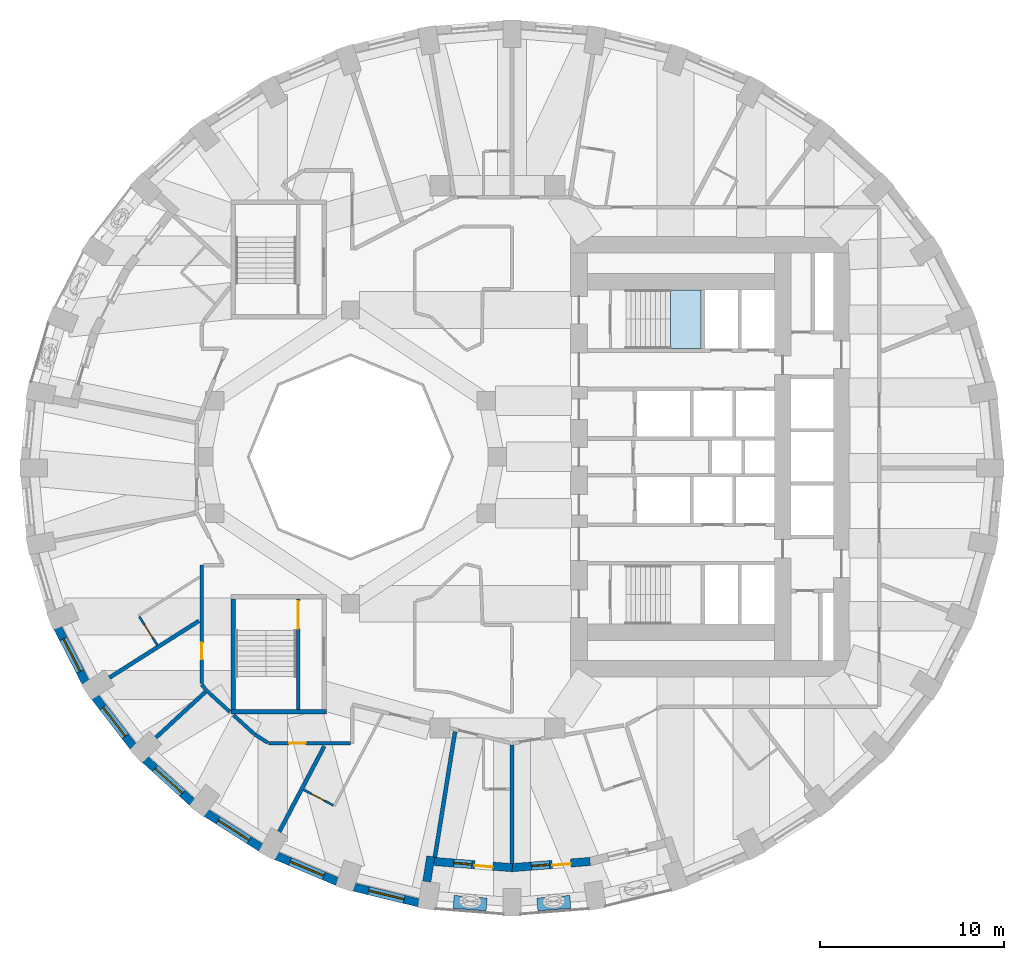
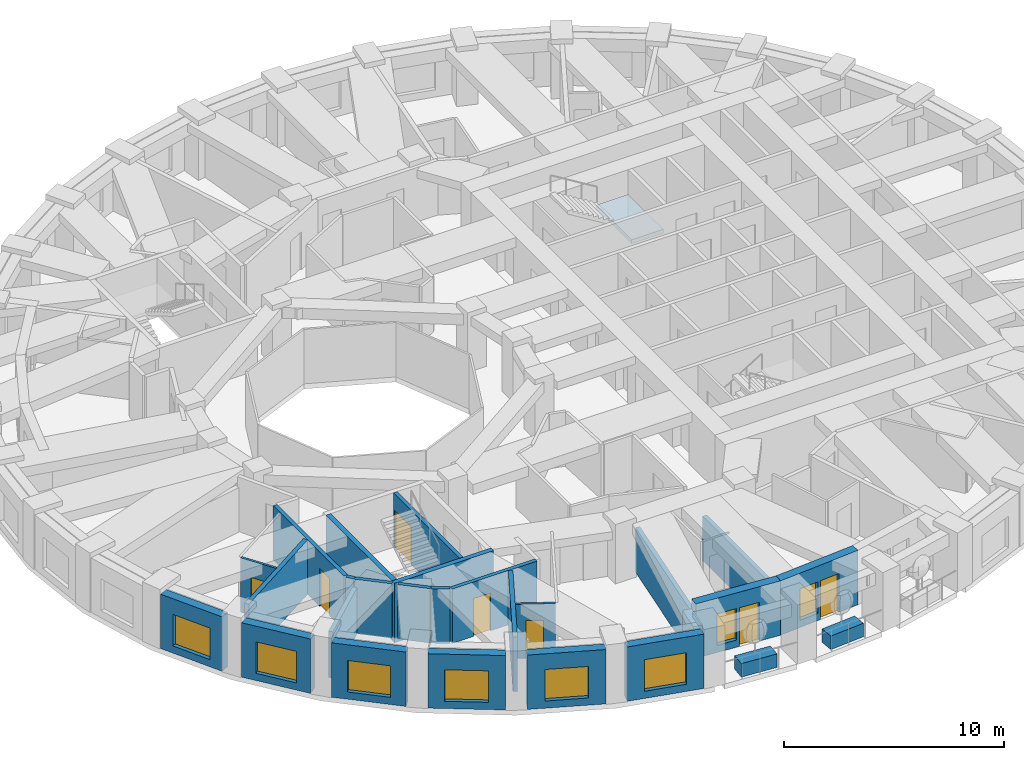
# One storey, part 3 of 13: 27 walls, 8 windows, 7 doors, 1 slab, 15 openings, 1 element without a shape of its own.
"""IFC4 building model written with IfcOpenShell, lengths in metres."""

from ifc_helpers import new_model, si_unit, direction, frame, frame_2d, origin, place, context, subcontext, project, spatial, polyline, rectangle, outline, extrude, material, layer, layer_set, constituent, constituent_set, type_object, element, fill, aggregate, save


model = new_model("IFC4")

# Units and contexts
model_context = context("Model", 3, precision=1e-05, world=origin(), true_north=direction((0.0, 1.0)))
body_context = subcontext(model_context, "Body", "Model", "MODEL_VIEW")
ifc_project = project(units=[si_unit("LENGTHUNIT", "METRE"), si_unit("AREAUNIT", "SQUARE_METRE"), si_unit("VOLUMEUNIT", "CUBIC_METRE"), si_unit("PLANEANGLEUNIT", "RADIAN"), si_unit("MASSUNIT", "GRAM", prefix="KILO")], contexts=[model_context])

# Site, building, storey
site_placement = place(None, origin())
site = spatial("IfcSite", under=ifc_project, at=site_placement, CompositionType="ELEMENT")
building_placement = place(site_placement, origin())
building = spatial("IfcBuilding", under=site, at=building_placement, Name="Taillehof Tower", CompositionType="ELEMENT")
storey_placement = place(building_placement, frame((0.0, 0.0, 115.300048828125)))
storey = spatial("IfcBuildingStorey", under=building, at=storey_placement, Name="L32", CompositionType="ELEMENT", Elevation=115.300048828125)

# Stair, slab
ifc_material_1 = material(Name="Concrete C40/50", Category="concrete")
stair_type = type_object("IfcStairType", Name="Exit stair half-turn", PredefinedType="HALF_TURN_STAIR", material=ifc_material_1)
stair_placement = place(storey_placement, origin())
stair = element("IfcStair", 1, at=stair_placement, inside=storey, type_object=stair_type, Name="Exit stair S1", PredefinedType="HALF_TURN_STAIR")
ifc_material_2 = material(Name="Concrete C40/50", Category="concrete")
ifc_layer_1 = layer(ifc_material_2, 0.2099609375)
ifc_layer_set_1 = layer_set([ifc_layer_1], Name="Stair landing C40/50 210")
slab_type = type_object("IfcSlabType", Name="Stair landing C40/50 210", PredefinedType="LANDING", material=ifc_layer_set_1)
slab_placement = place(storey_placement, frame((0.0, 0.0, 1.43994140625)))
slab = element("IfcSlab", 2, at=slab_placement, type_object=slab_type, Name="S1 landing 1", PredefinedType="LANDING", context=body_context, shape_type="SweptSolid", body=[
    extrude(outline(polyline([(9.429931640625, 5.89990234375), (11.10009765625, 5.89990234375), (11.10009765625, 9.10009765625), (9.429931640625, 9.10009765625), (9.429931640625, 5.89990234375)])), origin(), (0.0, 0.0, 1.0), 0.2099609375),
])
aggregate(stair, [slab])

# Wall, opening, window
ifc_material_3 = material(Name="Brick masonry", Category="masonry")
ifc_layer_2 = layer(ifc_material_3, 0.449951171875)
ifc_layer_set_2 = layer_set([ifc_layer_2], Name="Brick infill wall 450")
wall_type_1 = type_object("IfcWallType", Name="Brick infill wall 450", PredefinedType="SOLIDWALL", material=ifc_layer_set_2)
wall_1_placement = place(storey_placement, frame((-23.9453125, -9.312255859375, 0.0), z_axis=(0.0, 0.0, 1.0), x_axis=(0.456828186229, -0.889554949549, 0.0)))
wall_1 = element("IfcWall", 3, at=wall_1_placement, inside=storey, type_object=wall_type_1, Name="Brick wall L32 bay 21", PredefinedType="SOLIDWALL", context=body_context, shape_type="SweptSolid", body=[
    extrude(rectangle(XDim=3.332763671875, YDim=0.449951171875, at=frame_2d((1.66650390625, 0.0))), origin(), (0.0, 0.0, 1.0), 3.02001953125),
])
opening_1_placement = place(wall_1_placement, frame((0.666259765625, 0.0, 0.39990234375)))
opening_1 = element("IfcOpeningElement", 4, at=opening_1_placement, cuts=wall_1, Name="Opening W2", PredefinedType="OPENING", context=body_context, shape_type="SweptSolid", body=[
    extrude(rectangle(XDim=2.0, YDim=1.75, at=frame_2d((1.0, 0.875))), frame((0.0, 0.23486328125, 0.0), z_axis=(0.0, -1.0, 0.0), x_axis=(1.0, 0.0, 0.0)), (0.0, 0.0, 1.0), 0.469970703125),
])
ifc_material_4 = material(Name="Aluminium window frame with clear double glazing", Category="aluminium")
window_type_1 = type_object("IfcWindowType", Name="Deep-set window 2000x1750", PartitioningType="SINGLE_PANEL", PredefinedType="WINDOW", material=ifc_material_4)
window_1_placement = place(opening_1_placement, origin())
window_1 = element("IfcWindow", 5, at=window_1_placement, inside=storey, type_object=window_type_1, Name="W2", OverallHeight=1.75, OverallWidth=2.0, PartitioningType="SINGLE_PANEL", PredefinedType="WINDOW", context=body_context, shape_type="SweptSolid", body=[
    extrude(rectangle(XDim=2.0, YDim=1.75, at=frame_2d((1.0, 0.875))), frame((0.0, 0.034912109375, 0.0), z_axis=(0.0, -1.0, 0.0), x_axis=(1.0, 0.0, 0.0)), (0.0, 0.0, 1.0), 0.06005859375),
])
fill(opening_1, window_1)

wall_2_placement = place(storey_placement, frame((-21.908203125, -13.08740234375, 0.0), z_axis=(0.0, 0.0, 1.0), x_axis=(0.610693945156, -0.791866721961, 0.0)))
wall_2 = element("IfcWall", 6, at=wall_2_placement, inside=storey, type_object=wall_type_1, Name="Brick wall L32 bay 22", PredefinedType="SOLIDWALL", context=body_context, shape_type="SweptSolid", body=[
    extrude(rectangle(XDim=3.39453125, YDim=0.449951171875, at=frame_2d((1.697265625, 0.0))), origin(), (0.0, 0.0, 1.0), 3.02001953125),
])
opening_2_placement = place(wall_2_placement, frame((0.697265625, 0.0, 0.39990234375)))
opening_2 = element("IfcOpeningElement", 7, at=opening_2_placement, cuts=wall_2, Name="Opening W2", PredefinedType="OPENING", context=body_context, shape_type="SweptSolid", body=[
    extrude(rectangle(XDim=2.0, YDim=1.75, at=frame_2d((1.0, 0.875))), frame((0.0, 0.23486328125, 0.0), z_axis=(0.0, -1.0, 0.0), x_axis=(1.0, 0.0, 0.0)), (0.0, 0.0, 1.0), 0.469970703125),
])
window_2_placement = place(opening_2_placement, origin())
window_2 = element("IfcWindow", 8, at=window_2_placement, inside=storey, type_object=window_type_1, Name="W2", OverallHeight=1.75, OverallWidth=2.0, PartitioningType="SINGLE_PANEL", PredefinedType="WINDOW", context=body_context, shape_type="SweptSolid", body=[
    extrude(rectangle(XDim=2.0, YDim=1.75, at=frame_2d((1.0, 0.875))), frame((0.0, 0.034912109375, 0.0), z_axis=(0.0, -1.0, 0.0), x_axis=(1.0, 0.0, 0.0)), (0.0, 0.0, 1.0), 0.06005859375),
])
fill(opening_2, window_2)

wall_3_placement = place(storey_placement, frame((-19.18408203125, -16.481201171875, 0.0), z_axis=(0.0, 0.0, 1.0), x_axis=(0.740364106106, -0.672206062446, 0.0)))
wall_3 = element("IfcWall", 9, at=wall_3_placement, inside=storey, type_object=wall_type_1, Name="Brick wall L32 bay 23", PredefinedType="SOLIDWALL", context=body_context, shape_type="SweptSolid", body=[
    extrude(rectangle(XDim=3.4638671875, YDim=0.449951171875, at=frame_2d((1.73193359375, 0.0))), origin(), (0.0, 0.0, 1.0), 3.02001953125),
])
opening_3_placement = place(wall_3_placement, frame((0.73193359375, 0.0, 0.39990234375)))
opening_3 = element("IfcOpeningElement", 10, at=opening_3_placement, cuts=wall_3, Name="Opening W2", PredefinedType="OPENING", context=body_context, shape_type="SweptSolid", body=[
    extrude(rectangle(XDim=2.0, YDim=1.75, at=frame_2d((1.0, 0.875))), frame((0.0, 0.23486328125, 0.0), z_axis=(0.0, -1.0, 0.0), x_axis=(1.0, 0.0, 0.0)), (0.0, 0.0, 1.0), 0.469970703125),
])
window_3_placement = place(opening_3_placement, origin())
window_3 = element("IfcWindow", 11, at=window_3_placement, inside=storey, type_object=window_type_1, Name="W2", OverallHeight=1.75, OverallWidth=2.0, PartitioningType="SINGLE_PANEL", PredefinedType="WINDOW", context=body_context, shape_type="SweptSolid", body=[
    extrude(rectangle(XDim=2.0, YDim=1.75, at=frame_2d((1.0, 0.875))), frame((0.0, 0.034912109375, 0.0), z_axis=(0.0, -1.0, 0.0), x_axis=(1.0, 0.0, 0.0)), (0.0, 0.0, 1.0), 0.06005859375),
])
fill(opening_3, window_3)

wall_4_placement = place(storey_placement, frame((-15.856201171875, -19.39208984375, 0.0), z_axis=(0.0, 0.0, 1.0), x_axis=(0.843891947083, -0.53651317006, 0.0)))
wall_4 = element("IfcWall", 12, at=wall_4_placement, inside=storey, type_object=wall_type_1, Name="Brick wall L32 bay 24", PredefinedType="SOLIDWALL", context=body_context, shape_type="SweptSolid", body=[
    extrude(rectangle(XDim=3.531982421875, YDim=0.449951171875, at=frame_2d((1.76611328125, 0.0))), origin(), (0.0, 0.0, 1.0), 3.02001953125),
])
opening_4_placement = place(wall_4_placement, frame((0.76611328125, 0.0, 0.39990234375)))
opening_4 = element("IfcOpeningElement", 13, at=opening_4_placement, cuts=wall_4, Name="Opening W2", PredefinedType="OPENING", context=body_context, shape_type="SweptSolid", body=[
    extrude(rectangle(XDim=2.0, YDim=1.75, at=frame_2d((1.0, 0.875))), frame((0.0, 0.23486328125, 0.0), z_axis=(0.0, -1.0, 0.0), x_axis=(1.0, 0.0, 0.0)), (0.0, 0.0, 1.0), 0.469970703125),
])
window_4_placement = place(opening_4_placement, origin())
window_4 = element("IfcWindow", 14, at=window_4_placement, inside=storey, type_object=window_type_1, Name="W2", OverallHeight=1.75, OverallWidth=2.0, PartitioningType="SINGLE_PANEL", PredefinedType="WINDOW", context=body_context, shape_type="SweptSolid", body=[
    extrude(rectangle(XDim=2.0, YDim=1.75, at=frame_2d((1.0, 0.875))), frame((0.0, 0.034912109375, 0.0), z_axis=(0.0, -1.0, 0.0), x_axis=(1.0, 0.0, 0.0)), (0.0, 0.0, 1.0), 0.06005859375),
])
fill(opening_4, window_4)

wall_5_placement = place(storey_placement, frame((-12.025390625, -21.7333984375, 0.0), z_axis=(0.0, 0.0, 1.0), x_axis=(0.920879975612, -0.389846213932, 0.0)))
wall_5 = element("IfcWall", 15, at=wall_5_placement, inside=storey, type_object=wall_type_1, Name="Brick wall L32 bay 25", PredefinedType="SOLIDWALL", context=body_context, shape_type="SweptSolid", body=[
    extrude(rectangle(XDim=3.591552734375, YDim=0.449951171875, at=frame_2d((1.7958984375, 0.0))), origin(), (0.0, 0.0, 1.0), 3.02001953125),
])
opening_5_placement = place(wall_5_placement, frame((0.795654296875, 0.0, 0.39990234375)))
opening_5 = element("IfcOpeningElement", 16, at=opening_5_placement, cuts=wall_5, Name="Opening W2", PredefinedType="OPENING", context=body_context, shape_type="SweptSolid", body=[
    extrude(rectangle(XDim=2.0, YDim=1.75, at=frame_2d((1.0, 0.875))), frame((0.0, 0.23486328125, 0.0), z_axis=(0.0, -1.0, 0.0), x_axis=(1.0, 0.0, 0.0)), (0.0, 0.0, 1.0), 0.469970703125),
])
window_5_placement = place(opening_5_placement, origin())
window_5 = element("IfcWindow", 17, at=window_5_placement, inside=storey, type_object=window_type_1, Name="W2", OverallHeight=1.75, OverallWidth=2.0, PartitioningType="SINGLE_PANEL", PredefinedType="WINDOW", context=body_context, shape_type="SweptSolid", body=[
    extrude(rectangle(XDim=2.0, YDim=1.75, at=frame_2d((1.0, 0.875))), frame((0.0, 0.034912109375, 0.0), z_axis=(0.0, -1.0, 0.0), x_axis=(1.0, 0.0, 0.0)), (0.0, 0.0, 1.0), 0.06005859375),
])
fill(opening_5, window_5)

wall_6_placement = place(storey_placement, frame((-7.806640625, -23.435302734375, 0.0), z_axis=(0.0, 0.0, 1.0), x_axis=(0.971667603162, -0.236351579148, 0.0)))
wall_6 = element("IfcWall", 18, at=wall_6_placement, inside=storey, type_object=wall_type_1, Name="Brick wall L32 bay 26", PredefinedType="SOLIDWALL", context=body_context, shape_type="SweptSolid", body=[
    extrude(rectangle(XDim=3.635009765625, YDim=0.449951171875, at=frame_2d((1.8173828125, 0.0))), origin(), (0.0, 0.0, 1.0), 3.02001953125),
])
opening_6_placement = place(wall_6_placement, frame((0.8173828125, 0.0, 0.39990234375)))
opening_6 = element("IfcOpeningElement", 19, at=opening_6_placement, cuts=wall_6, Name="Opening W2", PredefinedType="OPENING", context=body_context, shape_type="SweptSolid", body=[
    extrude(rectangle(XDim=2.0, YDim=1.75, at=frame_2d((1.0, 0.875))), frame((0.0, 0.23486328125, 0.0), z_axis=(0.0, -1.0, 0.0), x_axis=(1.0, 0.0, 0.0)), (0.0, 0.0, 1.0), 0.469970703125),
])
window_6_placement = place(opening_6_placement, origin())
window_6 = element("IfcWindow", 20, at=window_6_placement, inside=storey, type_object=window_type_1, Name="W2", OverallHeight=1.75, OverallWidth=2.0, PartitioningType="SINGLE_PANEL", PredefinedType="WINDOW", context=body_context, shape_type="SweptSolid", body=[
    extrude(rectangle(XDim=2.0, YDim=1.75, at=frame_2d((1.0, 0.875))), frame((0.0, 0.034912109375, 0.0), z_axis=(0.0, -1.0, 0.0), x_axis=(1.0, 0.0, 0.0)), (0.0, 0.0, 1.0), 0.06005859375),
])
fill(opening_6, window_6)

# Wall
wall_7_placement = place(storey_placement, frame((-3.84130859375, -23.13232421875, 0.0), z_axis=(0.0, 0.0, 1.0), x_axis=(0.158442643832, 0.987368182906, 0.0)))
element("IfcWall", 21, at=wall_7_placement, inside=storey, type_object=wall_type_1, Name="Brick reveal L32 pocket 8", PredefinedType="SOLIDWALL", context=body_context, shape_type="SweptSolid", body=[
    extrude(rectangle(XDim=1.389892578125, YDim=0.449951171875, at=frame_2d((0.69482421875, 0.0))), origin(), (0.0, 0.0, 1.0), 2.469970703125),
])

# Wall, openings, door, window
wall_8_placement = place(storey_placement, frame((-3.4375, -22.036865234375, 0.0), z_axis=(0.0, 0.0, 1.0), x_axis=(0.996844307919, -0.079381520332, 0.0)))
wall_8 = element("IfcWall", 22, at=wall_8_placement, inside=storey, type_object=wall_type_1, Name="Brick wall L32 pocket bay 27", PredefinedType="SOLIDWALL", context=body_context, shape_type="SweptSolid", body=[
    extrude(rectangle(XDim=4.268798828125, YDim=0.449951171875, at=frame_2d((2.13427734375, 0.0))), origin(), (0.0, 0.0, 1.0), 3.02001953125),
])
opening_7_placement = place(wall_8_placement, frame((1.0595703125, 0.0, 0.39990234375)))
opening_7 = element("IfcOpeningElement", 23, at=opening_7_placement, cuts=wall_8, Name="Opening W5", PredefinedType="OPENING", context=body_context, shape_type="SweptSolid", body=[
    extrude(rectangle(XDim=1.0, YDim=1.75, at=frame_2d((0.5, 0.875))), frame((0.0, 0.23486328125, 0.0), z_axis=(0.0, -1.0, 0.0), x_axis=(1.0, 0.0, 0.0)), (0.0, 0.0, 1.0), 0.469970703125),
])
opening_8_placement = place(wall_8_placement, frame((2.20947265625, 0.0, 0.0)))
opening_8 = element("IfcOpeningElement", 24, at=opening_8_placement, cuts=wall_8, Name="Opening D3294", PredefinedType="OPENING", context=body_context, shape_type="SweptSolid", body=[
    extrude(rectangle(XDim=1.0, YDim=2.14990234375, at=frame_2d((0.5, 1.074951171875))), frame((0.0, 0.23486328125, 0.0), z_axis=(0.0, -1.0, 0.0), x_axis=(1.0, 0.0, 0.0)), (0.0, 0.0, 1.0), 0.469970703125),
])
ifc_material_5 = material(Name="Aluminium door frame with clear double glazing", Category="aluminium")
door_type_1 = type_object("IfcDoorType", Name="Balcony door 1000x2150", OperationType="SINGLE_SWING_RIGHT", PredefinedType="DOOR", material=ifc_material_5)
door_1_placement = place(opening_8_placement, frame((1.0, 0.0, 0.0), z_axis=(0.0, 0.0, 1.0), x_axis=(-1.0, 0.0, 0.0)))
door_1 = element("IfcDoor", 25, at=door_1_placement, inside=storey, type_object=door_type_1, Name="Balcony door L32 bay 27", OperationType="SINGLE_SWING_RIGHT", OverallHeight=2.14990234375, OverallWidth=1.0, PredefinedType="DOOR", context=body_context, shape_type="SweptSolid", body=[
    extrude(rectangle(XDim=1.0, YDim=2.14990234375, at=frame_2d((0.5, 1.074951171875))), frame((0.0, 0.0751953125, 0.0), z_axis=(0.0, -1.0, 0.0), x_axis=(1.0, 0.0, 0.0)), (0.0, 0.0, 1.0), 0.050048828125),
])
fill(opening_8, door_1)
ifc_material_6 = material(Name="Aluminium window frame with clear double glazing", Category="aluminium")
window_type_2 = type_object("IfcWindowType", Name="Fixed window 1000x1750", PartitioningType="SINGLE_PANEL", PredefinedType="WINDOW", material=ifc_material_6)
window_7_placement = place(opening_7_placement, origin())
window_7 = element("IfcWindow", 26, at=window_7_placement, inside=storey, type_object=window_type_2, Name="W5", OverallHeight=1.75, OverallWidth=1.0, PartitioningType="SINGLE_PANEL", PredefinedType="WINDOW", context=body_context, shape_type="SweptSolid", body=[
    extrude(rectangle(XDim=1.0, YDim=1.75, at=frame_2d((0.5, 0.875))), frame((0.0, 0.034912109375, 0.0), z_axis=(0.0, -1.0, 0.0), x_axis=(1.0, 0.0, 0.0)), (0.0, 0.0, 1.0), 0.06005859375),
])
fill(opening_7, window_7)

wall_9_placement = place(storey_placement, frame((0.7822265625, -22.375732421875, 0.0), z_axis=(0.0, 0.0, 1.0), x_axis=(0.996843465986, 0.079392092303, 0.0)))
wall_9 = element("IfcWall", 27, at=wall_9_placement, inside=storey, type_object=wall_type_1, Name="Brick wall L32 pocket bay 28", PredefinedType="SOLIDWALL", context=body_context, shape_type="SweptSolid", body=[
    extrude(rectangle(XDim=4.28662109375, YDim=0.449951171875, at=frame_2d((2.143310546875, 0.0))), origin(), (0.0, 0.0, 1.0), 3.02001953125),
])
opening_9_placement = place(wall_9_placement, frame((1.068359375, 0.0, 0.39990234375)))
opening_9 = element("IfcOpeningElement", 28, at=opening_9_placement, cuts=wall_9, Name="Opening W5", PredefinedType="OPENING", context=body_context, shape_type="SweptSolid", body=[
    extrude(rectangle(XDim=1.0, YDim=1.75, at=frame_2d((0.5, 0.875))), frame((0.0, 0.23486328125, 0.0), z_axis=(0.0, -1.0, 0.0), x_axis=(1.0, 0.0, 0.0)), (0.0, 0.0, 1.0), 0.469970703125),
])
opening_10_placement = place(wall_9_placement, frame((2.218505859375, 0.0, 0.0)))
opening_10 = element("IfcOpeningElement", 29, at=opening_10_placement, cuts=wall_9, Name="Opening D3295", PredefinedType="OPENING", context=body_context, shape_type="SweptSolid", body=[
    extrude(rectangle(XDim=1.0, YDim=2.14990234375, at=frame_2d((0.5, 1.074951171875))), frame((0.0, 0.23486328125, 0.0), z_axis=(0.0, -1.0, 0.0), x_axis=(1.0, 0.0, 0.0)), (0.0, 0.0, 1.0), 0.469970703125),
])
door_2_placement = place(opening_10_placement, frame((1.0, 0.0, 0.0), z_axis=(0.0, 0.0, 1.0), x_axis=(-1.0, 0.0, 0.0)))
door_2 = element("IfcDoor", 30, at=door_2_placement, inside=storey, type_object=door_type_1, Name="Balcony door L32 bay 28", OperationType="SINGLE_SWING_LEFT", OverallHeight=2.14990234375, OverallWidth=1.0, PredefinedType="DOOR", context=body_context, shape_type="SweptSolid", body=[
    extrude(rectangle(XDim=1.0, YDim=2.14990234375, at=frame_2d((0.5, 1.074951171875))), frame((0.0, 0.0751953125, 0.0), z_axis=(0.0, -1.0, 0.0), x_axis=(1.0, 0.0, 0.0)), (0.0, 0.0, 1.0), 0.050048828125),
])
fill(opening_10, door_2)
window_8_placement = place(opening_9_placement, origin())
window_8 = element("IfcWindow", 31, at=window_8_placement, inside=storey, type_object=window_type_2, Name="W5", OverallHeight=1.75, OverallWidth=1.0, PartitioningType="SINGLE_PANEL", PredefinedType="WINDOW", context=body_context, shape_type="SweptSolid", body=[
    extrude(rectangle(XDim=1.0, YDim=1.75, at=frame_2d((0.5, 0.875))), frame((0.0, 0.034912109375, 0.0), z_axis=(0.0, -1.0, 0.0), x_axis=(1.0, 0.0, 0.0)), (0.0, 0.0, 1.0), 0.06005859375),
])
fill(opening_9, window_8)

# Walls
ifc_material_7 = material(Name="Gypsum board on steel studs, two layers each side", Category="steel")
ifc_layer_3 = layer(ifc_material_7, 0.199951171875)
ifc_layer_set_3 = layer_set([ifc_layer_3], Name="Compartment wall corridor 200")
wall_type_2 = type_object("IfcWallType", Name="Compartment wall corridor 200", PredefinedType="PARTITIONING", material=ifc_layer_set_3)
wall_10_placement = place(storey_placement, frame((-14.5595703125, -13.891357421875, 0.0), z_axis=(0.0, 0.0, 1.0), x_axis=(-0.739440483737, 0.673221932954, 0.0)))
element("IfcWall", 32, at=wall_10_placement, inside=storey, type_object=wall_type_2, Name="Compartment wall", PredefinedType="PARTITIONING", context=body_context, shape_type="SweptSolid", body=[
    extrude(rectangle(XDim=1.74755859375, YDim=0.199951171875, at=frame_2d((0.873779296875, 0.0))), origin(), (0.0, 0.0, 1.0), 3.02001953125),
])
wall_11_placement = place(storey_placement, frame((-15.864013671875, -12.698974609375, 0.0), z_axis=(0.0, 0.0, 1.0), x_axis=(-0.61004607296, 0.792365943782, 0.0)))
element("IfcWall", 33, at=wall_11_placement, inside=storey, type_object=wall_type_2, Name="Compartment wall", PredefinedType="PARTITIONING", context=body_context, shape_type="SweptSolid", body=[
    extrude(rectangle(XDim=0.386962890625, YDim=0.199951171875, at=frame_2d((0.193359375, 0.0))), origin(), (0.0, 0.0, 1.0), 3.02001953125),
])

# Wall, opening, door
wall_12_placement = place(storey_placement, frame((-16.10009765625, -12.332275390625, 0.0), z_axis=(0.0, 0.0, 1.0), x_axis=(0.0, 1.0, 0.0)))
wall_12 = element("IfcWall", 34, at=wall_12_placement, inside=storey, type_object=wall_type_2, Name="Compartment wall", PredefinedType="PARTITIONING", context=body_context, shape_type="SweptSolid", body=[
    extrude(rectangle(XDim=6.432373046875, YDim=0.199951171875, at=frame_2d((3.21630859375, 0.0))), origin(), (0.0, 0.0, 1.0), 3.02001953125),
])
opening_11_placement = place(wall_12_placement, frame((1.30419921875, 0.0, 0.0)))
opening_11 = element("IfcOpeningElement", 35, at=opening_11_placement, cuts=wall_12, Name="Opening D3254", PredefinedType="OPENING", context=body_context, shape_type="SweptSolid", body=[
    extrude(rectangle(XDim=0.89990234375, YDim=2.10009765625, at=frame_2d((0.449951171875, 1.050048828125))), frame((0.0, 0.10986328125, 0.0), z_axis=(0.0, -1.0, 0.0), x_axis=(1.0, 0.0, 0.0)), (0.0, 0.0, 1.0), 0.219970703125),
])
ifc_material_8 = material(Name="Timber door leaf in steel frame", Category="steel")
door_type_2 = type_object("IfcDoorType", Name="Service room door EI 30 900 x 2100", OperationType="SINGLE_SWING_LEFT", PredefinedType="DOOR", material=ifc_material_8)
door_3_placement = place(opening_11_placement, origin())
door_3 = element("IfcDoor", 36, at=door_3_placement, inside=storey, type_object=door_type_2, Name="D3254", OperationType="SINGLE_SWING_RIGHT", OverallHeight=2.10009765625, OverallWidth=0.89990234375, PredefinedType="DOOR", context=body_context, shape_type="SweptSolid", body=[
    extrude(rectangle(XDim=0.89990234375, YDim=2.10009765625, at=frame_2d((0.449951171875, 1.050048828125))), frame((0.0, 0.02490234375, 0.0), z_axis=(0.0, -1.0, 0.0), x_axis=(1.0, 0.0, 0.0)), (0.0, 0.0, 1.0), 0.050048828125),
])
fill(opening_11, door_3)

wall_13_placement = place(storey_placement, frame((-8.0, -15.60009765625, 0.0), z_axis=(0.0, 0.0, 1.0), x_axis=(-1.0, 0.0, 0.0)))
wall_13 = element("IfcWall", 37, at=wall_13_placement, inside=storey, type_object=wall_type_2, Name="Compartment wall", PredefinedType="PARTITIONING", context=body_context, shape_type="SweptSolid", body=[
    extrude(rectangle(XDim=4.450927734375, YDim=0.199951171875, at=frame_2d((2.2255859375, 0.0))), origin(), (0.0, 0.0, 1.0), 3.02001953125),
])
opening_12_placement = place(wall_13_placement, frame((2.441650390625, 0.0, 0.0)))
opening_12 = element("IfcOpeningElement", 38, at=opening_12_placement, cuts=wall_13, Name="Opening D3255", PredefinedType="OPENING", context=body_context, shape_type="SweptSolid", body=[
    extrude(rectangle(XDim=0.89990234375, YDim=2.10009765625, at=frame_2d((0.449951171875, 1.050048828125))), frame((0.0, 0.10986328125, 0.0), z_axis=(0.0, -1.0, 0.0), x_axis=(1.0, 0.0, 0.0)), (0.0, 0.0, 1.0), 0.219970703125),
])
door_4_placement = place(opening_12_placement, origin())
door_4 = element("IfcDoor", 39, at=door_4_placement, inside=storey, type_object=door_type_2, Name="D3255", OperationType="SINGLE_SWING_LEFT", OverallHeight=2.10009765625, OverallWidth=0.89990234375, PredefinedType="DOOR", context=body_context, shape_type="SweptSolid", body=[
    extrude(rectangle(XDim=0.89990234375, YDim=2.10009765625, at=frame_2d((0.449951171875, 1.050048828125))), frame((0.0, 0.02490234375, 0.0), z_axis=(0.0, -1.0, 0.0), x_axis=(1.0, 0.0, 0.0)), (0.0, 0.0, 1.0), 0.050048828125),
])
fill(opening_12, door_4)

# Walls
wall_14_placement = place(storey_placement, frame((-12.50146484375, -15.56787109375, 0.0), z_axis=(0.0, 0.0, 1.0), x_axis=(-0.843169167706, 0.537648355926, 0.0)))
element("IfcWall", 40, at=wall_14_placement, inside=storey, type_object=wall_type_2, Name="Compartment wall", PredefinedType="PARTITIONING", context=body_context, shape_type="SweptSolid", body=[
    extrude(rectangle(XDim=0.858154296875, YDim=0.199951171875, at=frame_2d((0.42919921875, 0.0))), origin(), (0.0, 0.0, 1.0), 3.02001953125),
])
wall_15_placement = place(storey_placement, frame((-13.239990234375, -15.093017578125, 0.0), z_axis=(0.0, 0.0, 1.0), x_axis=(-0.739438095557, 0.673224556028, 0.0)))
element("IfcWall", 41, at=wall_15_placement, inside=storey, type_object=wall_type_2, Name="Compartment wall", PredefinedType="PARTITIONING", context=body_context, shape_type="SweptSolid", body=[
    extrude(rectangle(XDim=1.51904296875, YDim=0.199951171875, at=frame_2d((0.759521484375, 0.0))), origin(), (0.0, 0.0, 1.0), 3.02001953125),
])
ifc_material_9 = material(Name="Gypsum board on double steel studs with mineral wool", Category="steel")
ifc_layer_4 = layer(ifc_material_9, 0.219970703125)
ifc_layer_set_4 = layer_set([ifc_layer_4], Name="Compartment wall guest room 220")
wall_type_3 = type_object("IfcWallType", Name="Compartment wall guest room 220", PredefinedType="PARTITIONING", material=ifc_layer_set_4)
wall_16_placement = place(storey_placement, frame((-21.12646484375, -12.0234375, 0.0), z_axis=(0.0, 0.0, 1.0), x_axis=(0.844499715613, 0.535556001114, 0.0)))
element("IfcWall", 42, at=wall_16_placement, inside=storey, type_object=wall_type_3, Name="Compartment wall", PredefinedType="PARTITIONING", context=body_context, shape_type="SweptSolid", body=[
    extrude(rectangle(XDim=5.7734375, YDim=0.219970703125, at=frame_2d((2.88671875, 0.0))), origin(), (0.0, 0.0, 1.0), 3.02001953125),
])
wall_17_placement = place(storey_placement, frame((-18.60400390625, -15.293701171875, 0.0), z_axis=(0.0, 0.0, 1.0), x_axis=(0.73529495628, 0.677747244383, 0.0)))
element("IfcWall", 43, at=wall_17_placement, inside=storey, type_object=wall_type_3, Name="Compartment wall", PredefinedType="PARTITIONING", context=body_context, shape_type="SweptSolid", body=[
    extrude(rectangle(XDim=3.673828125, YDim=0.219970703125, at=frame_2d((1.8369140625, 0.0))), origin(), (0.0, 0.0, 1.0), 2.570068359375),
])
wall_18_placement = place(storey_placement, frame((-11.8759765625, -20.417724609375, 0.0), z_axis=(0.0, 0.0, 1.0), x_axis=(0.465320539057, 0.885142246157, 0.0)))
element("IfcWall", 44, at=wall_18_placement, inside=storey, type_object=wall_type_3, Name="Compartment wall", PredefinedType="PARTITIONING", context=body_context, shape_type="SweptSolid", body=[
    extrude(rectangle(XDim=5.269287109375, YDim=0.219970703125, at=frame_2d((2.634765625, 0.0))), origin(), (0.0, 0.0, 1.0), 3.02001953125),
])
wall_19_placement = place(storey_placement, frame((-3.40185546875, -21.81396484375, 0.0), z_axis=(0.0, 0.0, 1.0), x_axis=(0.158512534522, 0.987356965033, 0.0)))
element("IfcWall", 45, at=wall_19_placement, inside=storey, type_object=wall_type_3, Name="Compartment wall", PredefinedType="PARTITIONING", context=body_context, shape_type="SweptSolid", body=[
    extrude(rectangle(XDim=6.930908203125, YDim=0.219970703125, at=frame_2d((3.46533203125, 0.0))), origin(), (0.0, 0.0, 1.0), 2.469970703125),
])
wall_20_placement = place(storey_placement, frame((0.800048828125, -22.148681640625, 0.0), z_axis=(0.0, 0.0, 1.0), x_axis=(0.0, 1.0, 0.0)))
element("IfcWall", 46, at=wall_20_placement, inside=storey, type_object=wall_type_3, Name="Compartment wall", PredefinedType="PARTITIONING", context=body_context, shape_type="SweptSolid", body=[
    extrude(rectangle(XDim=6.448486328125, YDim=0.219970703125, at=frame_2d((3.22412109375, 0.0))), origin(), (0.0, 0.0, 1.0), 2.469970703125),
])

# Wall, opening, door
ifc_material_10 = material(Name="Gypsum board on steel studs, moisture resistant", Category="steel")
ifc_layer_5 = layer(ifc_material_10, 0.1201171875)
ifc_layer_set_5 = layer_set([ifc_layer_5], Name="En-suite wall 120")
wall_type_4 = type_object("IfcWallType", Name="En-suite wall 120", PredefinedType="PARTITIONING", material=ifc_layer_set_5)
wall_21_placement = place(storey_placement, frame((-19.50341796875, -8.69677734375, 0.0), z_axis=(0.0, 0.0, 1.0), x_axis=(0.535467767516, -0.844555664211, 0.0)))
wall_21 = element("IfcWall", 47, at=wall_21_placement, inside=storey, type_object=wall_type_4, Name="En-suite wall", PredefinedType="PARTITIONING", context=body_context, shape_type="SweptSolid", body=[
    extrude(rectangle(XDim=1.830078125, YDim=0.1201171875, at=frame_2d((0.9150390625, 0.0))), origin(), (0.0, 0.0, 1.0), 3.02001953125),
])
opening_13_placement = place(wall_21_placement, frame((0.5400390625, 0.0, 0.0)))
opening_13 = element("IfcOpeningElement", 48, at=opening_13_placement, cuts=wall_21, Name="Opening D3253", PredefinedType="OPENING", context=body_context, shape_type="SweptSolid", body=[
    extrude(rectangle(XDim=0.800048828125, YDim=2.10009765625, at=frame_2d((0.39990234375, 1.050048828125))), frame((0.0, 0.070068359375, 0.0), z_axis=(0.0, -1.0, 0.0), x_axis=(1.0, 0.0, 0.0)), (0.0, 0.0, 1.0), 0.14013671875),
])
ifc_material_11 = material(Name="Timber door leaf in steel frame", Category="steel")
door_type_3 = type_object("IfcDoorType", Name="En-suite door 800 x 2100", OperationType="SINGLE_SWING_LEFT", PredefinedType="DOOR", material=ifc_material_11)
door_5_placement = place(opening_13_placement, origin())
door_5 = element("IfcDoor", 49, at=door_5_placement, inside=storey, type_object=door_type_3, Name="D3253", OperationType="SINGLE_SWING_LEFT", OverallHeight=2.10009765625, OverallWidth=0.800048828125, PredefinedType="DOOR", context=body_context, shape_type="SweptSolid", body=[
    extrude(rectangle(XDim=0.800048828125, YDim=2.10009765625, at=frame_2d((0.39990234375, 1.050048828125))), frame((0.0, 0.02490234375, 0.0), z_axis=(0.0, -1.0, 0.0), x_axis=(1.0, 0.0, 0.0)), (0.0, 0.0, 1.0), 0.050048828125),
])
fill(opening_13, door_5)

wall_22_placement = place(storey_placement, frame((-8.929443359375, -18.981201171875, 0.0), z_axis=(0.0, 0.0, 1.0), x_axis=(-0.885114946598, 0.465372465139, 0.0)))
wall_22 = element("IfcWall", 50, at=wall_22_placement, inside=storey, type_object=wall_type_4, Name="En-suite wall", PredefinedType="PARTITIONING", context=body_context, shape_type="SweptSolid", body=[
    extrude(rectangle(XDim=1.829833984375, YDim=0.1201171875, at=frame_2d((0.9150390625, 0.0))), origin(), (0.0, 0.0, 1.0), 3.02001953125),
])
opening_14_placement = place(wall_22_placement, frame((0.539794921875, 0.0, 0.0)))
opening_14 = element("IfcOpeningElement", 51, at=opening_14_placement, cuts=wall_22, Name="Opening D3257", PredefinedType="OPENING", context=body_context, shape_type="SweptSolid", body=[
    extrude(rectangle(XDim=0.800048828125, YDim=2.10009765625, at=frame_2d((0.39990234375, 1.050048828125))), frame((0.0, 0.070068359375, 0.0), z_axis=(0.0, -1.0, 0.0), x_axis=(1.0, 0.0, 0.0)), (0.0, 0.0, 1.0), 0.14013671875),
])
door_6_placement = place(opening_14_placement, origin())
door_6 = element("IfcDoor", 52, at=door_6_placement, inside=storey, type_object=door_type_3, Name="D3257", OperationType="SINGLE_SWING_RIGHT", OverallHeight=2.10009765625, OverallWidth=0.800048828125, PredefinedType="DOOR", context=body_context, shape_type="SweptSolid", body=[
    extrude(rectangle(XDim=0.800048828125, YDim=2.10009765625, at=frame_2d((0.39990234375, 1.050048828125))), frame((0.0, 0.02490234375, 0.0), z_axis=(0.0, -1.0, 0.0), x_axis=(1.0, 0.0, 0.0)), (0.0, 0.0, 1.0), 0.050048828125),
])
fill(opening_14, door_6)

# Walls
ifc_material_12 = material(Name="Concrete C30/37 precast", Category="concrete")
ifc_constituent_1 = constituent(ifc_material_12, Name="Structure", Category="concrete")
ifc_material_13 = material(Name="Insulated lining")
ifc_constituent_2 = constituent(ifc_material_13, Name="Lining")
ifc_constituent_set = constituent_set(constituents=[ifc_constituent_1, ifc_constituent_2], Name="Planter trough 700x750")
wall_type_5 = type_object("IfcWallType", Name="Planter trough 700x750", PredefinedType="USERDEFINED", material=ifc_constituent_set)
for number, where, z_axis, x_axis, name in (
    (53, (-2.3779296875, -24.23583984375, 0.0), (0.0, 0.0, 1.0), (0.996858257414, -0.079206152698, 0.0), "Planter L32 bay 27"),
    (54, (2.18359375, -24.37841796875, 0.0), (0.0, 0.0, 1.0), (0.996858257414, 0.079206152698, 0.0), "Planter L32 bay 28"),
):
    element("IfcWall", number, at=place(storey_placement, frame(where, z_axis=z_axis, x_axis=x_axis)), inside=storey, type_object=wall_type_5, Name=name, ObjectType="PLANTER", PredefinedType="USERDEFINED", context=body_context, shape_type="SweptSolid", body=[
        extrude(rectangle(XDim=1.800048828125, YDim=0.699951171875, at=frame_2d((0.89990234375, 0.0))), origin(), (0.0, 0.0, 1.0), 0.75),
    ])

# Wall, opening, door
ifc_material_14 = material(Name="Concrete C50/60", Category="concrete")
ifc_layer_6 = layer(ifc_material_14, 0.199951171875)
ifc_layer_set_6 = layer_set([ifc_layer_6], Name="Shaft wall C50/60 200")
wall_type_6 = type_object("IfcWallType", Name="Shaft wall C50/60 200", PredefinedType="SHEAR", material=ifc_layer_set_6)
wall_23_placement = place(storey_placement, frame((-10.85009765625, -13.75, 0.0), z_axis=(0.0, 0.0, 1.0), x_axis=(0.0, 1.0, 0.0)))
wall_23 = element("IfcWall", 55, at=wall_23_placement, inside=storey, type_object=wall_type_6, Name="Shaft wall SW", PredefinedType="SHEAR", context=body_context, shape_type="SweptSolid", body=[
    extrude(rectangle(XDim=6.0, YDim=0.199951171875, at=frame_2d((3.0, 0.0))), origin(), (0.0, 0.0, 1.0), 3.02001953125),
])
opening_15_placement = place(wall_23_placement, frame((4.39990234375, 0.0, 0.0)))
opening_15 = element("IfcOpeningElement", 56, at=opening_15_placement, cuts=wall_23, Name="Opening D3213", PredefinedType="OPENING", context=body_context, shape_type="SweptSolid", body=[
    extrude(rectangle(XDim=1.5, YDim=2.10009765625, at=frame_2d((0.75, 1.050048828125))), frame((0.0, 0.10986328125, 0.0), z_axis=(0.0, -1.0, 0.0), x_axis=(1.0, 0.0, 0.0)), (0.0, 0.0, 1.0), 0.219970703125),
])
ifc_material_15 = material(Name="Steel-faced fire door", Category="steel")
door_type_4 = type_object("IfcDoorType", Name="Stair door 1500x2100", OperationType="DOUBLE_DOOR_SINGLE_SWING", PredefinedType="DOOR", material=ifc_material_15)
door_7_placement = place(opening_15_placement, origin())
door_7 = element("IfcDoor", 57, at=door_7_placement, inside=storey, type_object=door_type_4, Name="Stair lobby door S4", OperationType="DOUBLE_DOOR_SINGLE_SWING", OverallHeight=2.10009765625, OverallWidth=1.5, PredefinedType="DOOR", context=body_context, shape_type="SweptSolid", body=[
    extrude(rectangle(XDim=1.5, YDim=2.10009765625, at=frame_2d((0.75, 1.050048828125))), frame((0.0, 0.02490234375, 0.0), z_axis=(0.0, -1.0, 0.0), x_axis=(1.0, 0.0, 0.0)), (0.0, 0.0, 1.0), 0.050048828125),
])
fill(opening_15, door_7)

# Walls
ifc_material_16 = material(Name="Concrete C50/60", Category="concrete")
ifc_layer_7 = layer(ifc_material_16, 0.25)
ifc_layer_set_7 = layer_set([ifc_layer_7], Name="Stair wall C50/60 250")
wall_type_7 = type_object("IfcWallType", Name="Stair wall C50/60 250", PredefinedType="SHEAR", material=ifc_layer_set_7)
wall_24_placement = place(storey_placement, frame((-14.375, -13.75, -0.280029296875), z_axis=(0.0, 0.0, 1.0), x_axis=(0.0, 1.0, 0.0)))
element("IfcWall", 58, at=wall_24_placement, inside=storey, type_object=wall_type_7, Name="Stair wall SC", PredefinedType="SHEAR", context=body_context, shape_type="SweptSolid", body=[
    extrude(rectangle(XDim=6.0, YDim=0.25, at=frame_2d((3.0, 0.0))), origin(), (0.0, 0.0, 1.0), 3.300048828125),
])
wall_25_placement = place(storey_placement, frame((-14.5, -13.875, -0.280029296875), z_axis=(0.0, 0.0, 1.0), x_axis=(1.0, 0.0, 0.0)))
element("IfcWall", 59, at=wall_25_placement, inside=storey, type_object=wall_type_7, Name="Stair wall SC", PredefinedType="SHEAR", context=body_context, shape_type="SweptSolid", body=[
    extrude(rectangle(XDim=5.199951171875, YDim=0.25, at=frame_2d((2.60009765625, 0.0))), origin(), (0.0, 0.0, 1.0), 3.300048828125),
])

save(model, "model.ifc")
